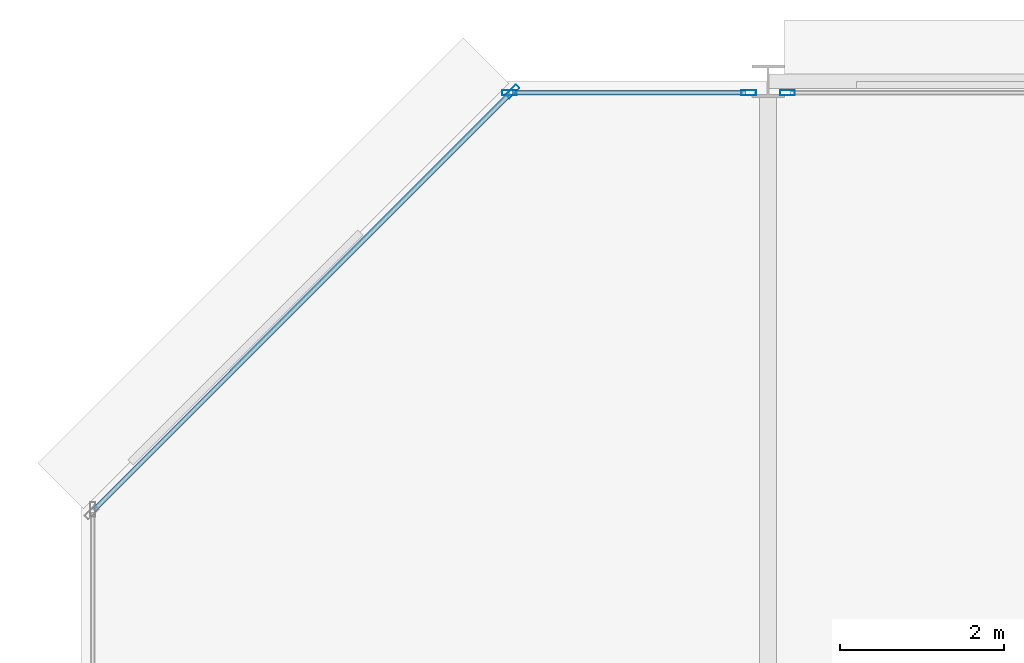
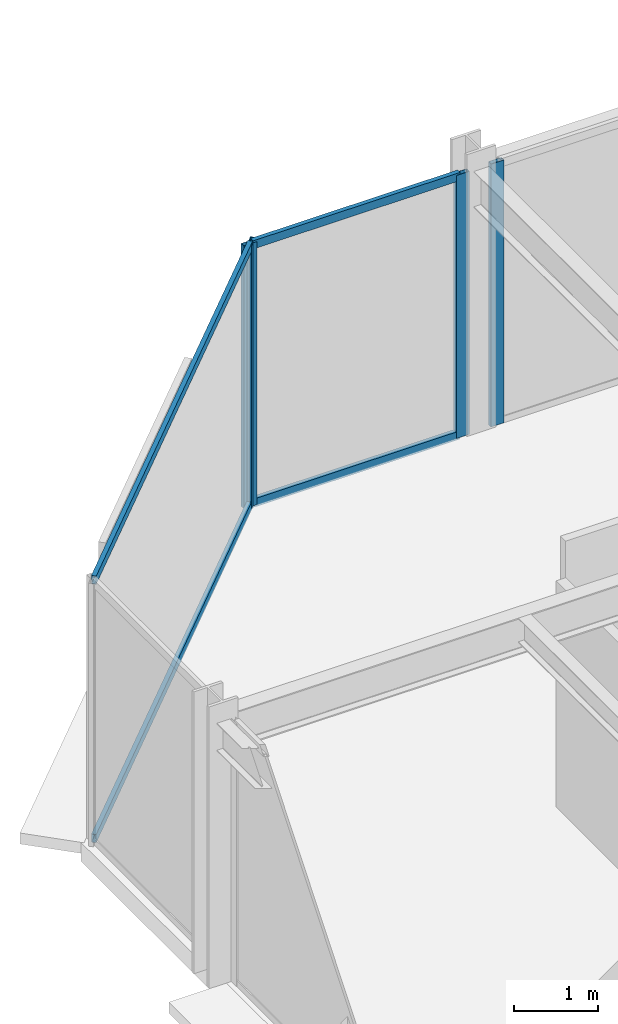
# One storey, part 21 of 30: 8 members, 3 elements without a shape of their own.
"""IFC4 building model written with IfcOpenShell, lengths in metres."""

from ifc_helpers import new_model, si_unit, direction, frame, origin, origin_2d, place, context, subcontext, project, spatial, hollow_rectangle, extrude, material, layer, layer_set, material_profile, profile_set, type_object, element, aggregate, save


model = new_model("IFC4")

# Units and contexts
model_context = context("Model", 3, precision=1e-05, world=origin(), true_north=direction((0.0, 1.0)))
body_context = subcontext(model_context, "Body", "Model", "MODEL_VIEW")
ifc_project = project(units=[si_unit("LENGTHUNIT", "METRE"), si_unit("AREAUNIT", "SQUARE_METRE"), si_unit("VOLUMEUNIT", "CUBIC_METRE"), si_unit("PLANEANGLEUNIT", "RADIAN"), si_unit("MASSUNIT", "GRAM", prefix="KILO")], contexts=[model_context])

# Site, building, storey
site_placement = place(None, origin())
site = spatial("IfcSite", under=ifc_project, at=site_placement, CompositionType="ELEMENT")
building_placement = place(site_placement, origin())
building = spatial("IfcBuilding", under=site, at=building_placement, Name="Nerrivon Quay Data Exchange", CompositionType="ELEMENT")
storey_placement = place(building_placement, frame((0.0, 0.0, 129.5)))
storey = spatial("IfcBuildingStorey", under=building, at=storey_placement, Name="L30", CompositionType="ELEMENT", Elevation=129.5)

# Curtain wall, member
ifc_material = material(Name="Anodised aluminium 6063-T6", Category="aluminium")
ifc_layer = layer(ifc_material, 0.2099609375)
ifc_layer_set = layer_set([ifc_layer], Name="Anodised aluminium 6063-T6")
curtain_wall_type = type_object("IfcCurtainWallType", Name="CW-SYS-02", PredefinedType="NOTDEFINED", material=ifc_layer_set)
curtain_wall_1_placement = place(storey_placement, origin())
curtain_wall_1 = element("IfcCurtainWall", 1, at=curtain_wall_1_placement, inside=storey, type_object=curtain_wall_type, Name="L30 Unitised Curtain Wall 17", PredefinedType="NOTDEFINED")
ifc_material_profile_1 = material_profile(ifc_material, hollow_rectangle(XDim=0.06494140625, YDim=0.179931640625, WallThickness=0.00341796875, at=origin_2d()), Name="ALU-MULL-180x65")
ifc_profile_set_1 = profile_set([ifc_material_profile_1], Name="Anodised aluminium 6063-T6")
member_type_1 = type_object("IfcMemberType", Name="CWM-180x65", PredefinedType="MULLION", material=ifc_profile_set_1)
member_1_placement = place(storey_placement, frame((5.2724609375, 50.2744140625, 0.0), z_axis=(0.0, 0.0, 1.0), x_axis=(-0.707106781187, 0.707106781187, 0.0)))
member_1 = element("IfcMember", 2, at=member_1_placement, type_object=member_type_1, Name="CW02 mullion 2", PredefinedType="MULLION", context=body_context, shape_type="SweptSolid", body=[
    extrude(hollow_rectangle(XDim=0.06494140625, YDim=0.179931640625, WallThickness=0.00341796875, at=origin_2d()), origin(), (0.0, 0.0, 1.0), 3.824951171875),
])

# Curtain wall, members
curtain_wall_2_placement = place(storey_placement, origin())
curtain_wall_2 = element("IfcCurtainWall", 3, at=curtain_wall_2_placement, inside=storey, type_object=curtain_wall_type, Name="L30 Unitised Curtain Wall 18", PredefinedType="NOTDEFINED")
member_2_placement = place(storey_placement, frame((5.237548828125, 50.260009765625, 0.0), z_axis=(0.0, 0.0, 1.0), x_axis=(0.0, 1.0, 0.0)))
member_2 = element("IfcMember", 4, at=member_2_placement, type_object=member_type_1, Name="CW02 mullion 1", PredefinedType="MULLION", context=body_context, shape_type="SweptSolid", body=[
    extrude(hollow_rectangle(XDim=0.06494140625, YDim=0.179931640625, WallThickness=0.00341796875, at=origin_2d()), origin(), (0.0, 0.0, 1.0), 3.824951171875),
])
member_3_placement = place(storey_placement, frame((8.16259765625, 50.260009765625, 0.0), z_axis=(0.0, 0.0, 1.0), x_axis=(0.0, 1.0, 0.0)))
member_3 = element("IfcMember", 5, at=member_3_placement, type_object=member_type_1, Name="CW02 mullion 2", PredefinedType="MULLION", context=body_context, shape_type="SweptSolid", body=[
    extrude(hollow_rectangle(XDim=0.06494140625, YDim=0.179931640625, WallThickness=0.00341796875, at=origin_2d()), origin(), (0.0, 0.0, 1.0), 3.824951171875),
])

# Curtain wall, member
curtain_wall_3_placement = place(storey_placement, origin())
curtain_wall_3 = element("IfcCurtainWall", 6, at=curtain_wall_3_placement, inside=storey, type_object=curtain_wall_type, Name="L30 Unitised Curtain Wall 19", PredefinedType="NOTDEFINED")
member_4_placement = place(storey_placement, frame((8.637451171875, 50.260009765625, 0.0), z_axis=(0.0, 0.0, 1.0), x_axis=(0.0, 1.0, 0.0)))
member_4 = element("IfcMember", 7, at=member_4_placement, type_object=member_type_1, Name="CW02 mullion 1", PredefinedType="MULLION", context=body_context, shape_type="SweptSolid", body=[
    extrude(hollow_rectangle(XDim=0.06494140625, YDim=0.179931640625, WallThickness=0.00341796875, at=origin_2d()), origin(), (0.0, 0.0, 1.0), 3.824951171875),
])
aggregate(curtain_wall_3, [member_4])

# Member
ifc_material_profile_2 = material_profile(ifc_material, hollow_rectangle(XDim=0.06005859375, YDim=0.1201171875, WallThickness=0.003173828125, at=origin_2d()), Name="ALU-TRAN-120x60")
ifc_profile_set_2 = profile_set([ifc_material_profile_2], Name="Anodised aluminium 6063-T6")
member_type_2 = type_object("IfcMemberType", Name="CWT-120x60", PredefinedType="USERDEFINED", material=ifc_profile_set_2)
member_5_placement = place(storey_placement, frame((0.152099609375, 45.154052734375, 0.032470703125), z_axis=(0.707089835771, 0.707123726196, 0.0), x_axis=(-0.707123726196, 0.707089835771, 0.0)))
member_5 = element("IfcMember", 8, at=member_5_placement, type_object=member_type_2, Name="CW02 transom 1.1", ObjectType="TRANSOM", PredefinedType="USERDEFINED", context=body_context, shape_type="SweptSolid", body=[
    extrude(hollow_rectangle(XDim=0.06005859375, YDim=0.1201171875, WallThickness=0.003173828125, at=origin_2d()), origin(), (0.0, 0.0, 1.0), 7.203857421875),
])

member_6_placement = place(storey_placement, frame((0.152099609375, 45.154052734375, 3.79248046875), z_axis=(0.707089835771, 0.707123726196, 0.0), x_axis=(-0.707123726196, 0.707089835771, 0.0)))
member_6 = element("IfcMember", 9, at=member_6_placement, type_object=member_type_2, Name="CW02 transom 1.2", ObjectType="TRANSOM", PredefinedType="USERDEFINED", context=body_context, shape_type="SweptSolid", body=[
    extrude(hollow_rectangle(XDim=0.06005859375, YDim=0.1201171875, WallThickness=0.003173828125, at=origin_2d()), origin(), (0.0, 0.0, 1.0), 7.203857421875),
])

aggregate(curtain_wall_1, [member_1, member_5, member_6])

member_7_placement = place(storey_placement, frame((5.27490234375, 50.260009765625, 0.032470703125), z_axis=(1.0, 0.0, 0.0), x_axis=(0.0, 1.0, 0.0)))
member_7 = element("IfcMember", 10, at=member_7_placement, type_object=member_type_2, Name="CW02 transom 1.1", ObjectType="TRANSOM", PredefinedType="USERDEFINED", context=body_context, shape_type="SweptSolid", body=[
    extrude(hollow_rectangle(XDim=0.06005859375, YDim=0.1201171875, WallThickness=0.003173828125, at=origin_2d()), origin(), (0.0, 0.0, 1.0), 2.85009765625),
])

member_8_placement = place(storey_placement, frame((5.27490234375, 50.260009765625, 3.79248046875), z_axis=(1.0, 0.0, 0.0), x_axis=(0.0, 1.0, 0.0)))
member_8 = element("IfcMember", 11, at=member_8_placement, type_object=member_type_2, Name="CW02 transom 1.2", ObjectType="TRANSOM", PredefinedType="USERDEFINED", context=body_context, shape_type="SweptSolid", body=[
    extrude(hollow_rectangle(XDim=0.06005859375, YDim=0.1201171875, WallThickness=0.003173828125, at=origin_2d()), origin(), (0.0, 0.0, 1.0), 2.85009765625),
])

aggregate(curtain_wall_2, [member_2, member_3, member_7, member_8])

save(model, "model.ifc")
